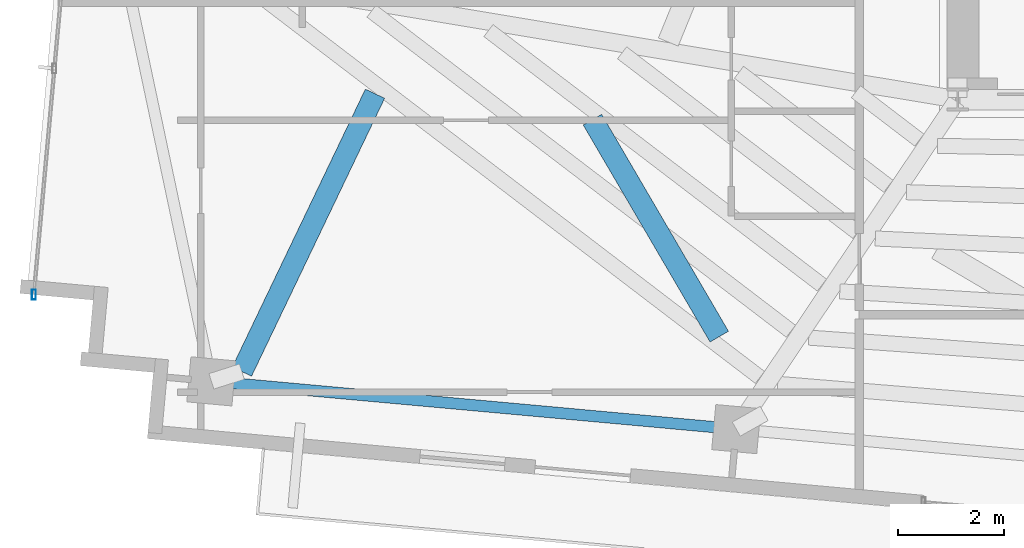
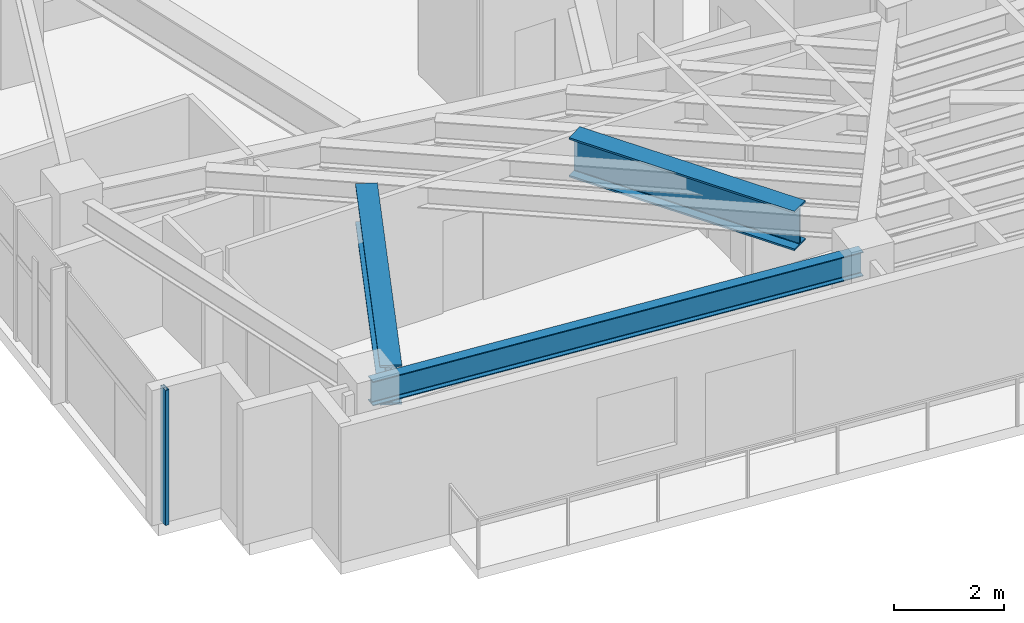
# One storey, part 2 of 22: 3 beams, 1 member, 1 element without a shape of its own.
"""IFC4 building model written with IfcOpenShell, lengths in metres."""

import ifcopenshell
import ifcopenshell.guid

model = None  # the IFC model being written
_history = None  # IfcOwnerHistory: only IFC2X3 demands one
_inside = {}  # id of a spatial element -> (the spatial element, [elements in it])
_under = {}  # id of a project, library or spatial element -> (it, [spatial elements below it])
_declared = {}  # id of a project -> (the project, [libraries it declares])
_typed = {}  # id of a type object -> (the type object, [elements of that type])
_made_of = {}  # id of a material, layer set ... -> (it, [elements and type objects made of it])


def new_model(schema):
    """Start an empty IFC model of exactly this schema.

    Asked for "IFC4X3", IfcOpenShell would pick the latest addendum, in which some entities
    have other attributes; the version numbers below select the first issue.
    IFC2X3 requires an IfcOwnerHistory on every rooted entity: one is made here for all.
    """
    global model, _history
    if schema == "IFC4X3":
        model = ifcopenshell.file(schema_version=(4, 3, 0, 0))
    else:
        model = ifcopenshell.file(schema=schema)
    _inside.clear()
    _under.clear()
    _declared.clear()
    _typed.clear()
    _made_of.clear()
    _history = None
    if model.schema == "IFC2X3":
        org = make("IfcOrganization", Name="unknown")
        user = make(
            "IfcPersonAndOrganization",
            ThePerson=make("IfcPerson", FamilyName="unknown"),
            TheOrganization=org,
        )
        app = make(
            "IfcApplication",
            ApplicationDeveloper=org,
            Version="unknown",
            ApplicationFullName="unknown",
            ApplicationIdentifier="unknown",
        )
        _history = make(
            "IfcOwnerHistory",
            OwningUser=user,
            OwningApplication=app,
            ChangeAction="ADDED",
            CreationDate=0,
        )
    return model


def make(cls, **values):
    """One entity of the class cls with the attributes given. An attribute that is None is left unset."""
    return model.create_entity(
        cls, **{name: value for name, value in values.items() if value is not None}
    )


def rooted(cls, **values):
    """An entity with a GlobalId (a new one), such as an element, a storey or a relation."""
    return make(cls, GlobalId=ifcopenshell.guid.new(), OwnerHistory=_history, **values)


def si_unit(unit_type, name, prefix=None):
    """IfcSIUnit, for example si_unit("LENGTHUNIT", "METRE", prefix="MILLI")."""
    return make("IfcSIUnit", UnitType=unit_type, Prefix=prefix, Name=name)


def assignment(units):
    """IfcUnitAssignment: the units of a project."""
    return None if units is None else make("IfcUnitAssignment", Units=units)


def point(xyz):
    """IfcCartesianPoint."""
    return None if xyz is None else make("IfcCartesianPoint", Coordinates=xyz)


def direction(xyz):
    """IfcDirection."""
    return None if xyz is None else make("IfcDirection", DirectionRatios=xyz)


def frame(location, z_axis=None, x_axis=None):
    """IfcAxis2Placement3D, a coordinate frame: its origin and axes. An axis left out is left unset."""
    return make(
        "IfcAxis2Placement3D",
        Location=point(location),
        Axis=direction(z_axis),
        RefDirection=direction(x_axis),
    )


def frame_2d(location, x_axis=None):
    """IfcAxis2Placement2D, a coordinate frame in the plane: its origin and x axis."""
    return make(
        "IfcAxis2Placement2D", Location=point(location), RefDirection=direction(x_axis)
    )


def origin():
    """The frame at (0, 0, 0) with its axes left unset."""
    return frame((0.0, 0.0, 0.0))


def origin_2d():
    """The frame at (0, 0) in the plane with its x axis left unset."""
    return frame_2d((0.0, 0.0))


def place(relative_to, where):
    """IfcLocalPlacement: puts the frame where relative to a parent placement (None: the world)."""
    return make(
        "IfcLocalPlacement", PlacementRelTo=relative_to, RelativePlacement=where
    )


def context(
    kind, dimensions, precision=None, world=None, true_north=None, identifier=None
):
    """IfcGeometricRepresentationContext, for example the 3D "Model" context."""
    return make(
        "IfcGeometricRepresentationContext",
        ContextIdentifier=identifier,
        ContextType=kind,
        CoordinateSpaceDimension=dimensions,
        Precision=precision,
        WorldCoordinateSystem=world,
        TrueNorth=true_north,
    )


def subcontext(parent, identifier, kind, view, scale=None):
    """IfcGeometricRepresentationSubContext, for example "Body" below "Model"."""
    return make(
        "IfcGeometricRepresentationSubContext",
        ContextIdentifier=identifier,
        ContextType=kind,
        ParentContext=parent,
        TargetScale=scale,
        TargetView=view,
    )


def project(units=None, contexts=None):
    """IfcProject with its units and contexts."""
    return rooted(
        "IfcProject",
        Name="project",
        RepresentationContexts=contexts,
        UnitsInContext=assignment(units),
    )


def spatial(cls, under=None, at=None, **own):
    """A site, building, storey or space (cls), placed at a placement, below another one or the project."""
    s = rooted(cls, ObjectPlacement=at, **own)
    if under is not None:
        _under.setdefault(under.id(), (under, []))[1].append(s)
    return s


def profile(cls, at=None, kind="AREA", **sizes):
    """A parametric profile (cls). Its sizes go by their IFC names, for example OverallWidth=200.0."""
    return make(cls, ProfileType=kind, Position=at, **sizes)


def hollow_rectangle(**sizes):
    """IfcRectangleHollowProfileDef."""
    return profile("IfcRectangleHollowProfileDef", **sizes)


def i_section(**sizes):
    """IfcIShapeProfileDef."""
    return profile("IfcIShapeProfileDef", **sizes)


def extrude(swept, where, along, depth):
    """IfcExtrudedAreaSolid: the profile swept, set in the frame where, extruded along a direction by depth."""
    return make(
        "IfcExtrudedAreaSolid",
        SweptArea=swept,
        Position=where,
        ExtrudedDirection=direction(along),
        Depth=depth,
    )


def shape(context_of_items, identifier, shape_type, items):
    """IfcShapeRepresentation: the items that make up one representation, for example the "Body"."""
    return make(
        "IfcShapeRepresentation",
        ContextOfItems=context_of_items,
        RepresentationIdentifier=identifier,
        RepresentationType=shape_type,
        Items=items,
    )


def source(mapping_origin, context_of_items, identifier, shape_type, items):
    """IfcRepresentationMap: a shape defined once, which mapped items show again and again."""
    return make(
        "IfcRepresentationMap",
        MappingOrigin=mapping_origin,
        MappedRepresentation=shape(context_of_items, identifier, shape_type, items),
    )


def transform(
    local_origin,
    x_axis=None,
    y_axis=None,
    z_axis=None,
    scale=None,
    scale2=None,
    scale3=None,
    uniform=True,
):
    """IfcCartesianTransformationOperator3D, or its non-uniform kind. x_axis, y_axis, z_axis: its Axis1, 2, 3."""
    if uniform:
        return make(
            "IfcCartesianTransformationOperator3D",
            Axis1=direction(x_axis),
            Axis2=direction(y_axis),
            LocalOrigin=point(local_origin),
            Scale=scale,
            Axis3=direction(z_axis),
        )
    return make(
        "IfcCartesianTransformationOperator3DnonUniform",
        Axis1=direction(x_axis),
        Axis2=direction(y_axis),
        LocalOrigin=point(local_origin),
        Scale=scale,
        Axis3=direction(z_axis),
        Scale2=scale2,
        Scale3=scale3,
    )


def mapped(mapping_source, mapping_target):
    """IfcMappedItem: shows the shape of a source again, moved by a transform."""
    return make(
        "IfcMappedItem", MappingSource=mapping_source, MappingTarget=mapping_target
    )


def material(Name=None, Category=None):
    """IfcMaterial."""
    return make("IfcMaterial", Name=Name, Category=Category)


def material_profile(
    of_material, cross_section, Name=None, Category=None, Priority=None
):
    """IfcMaterialProfile: a cross section and its material."""
    return make(
        "IfcMaterialProfile",
        Name=Name,
        Material=of_material,
        Profile=cross_section,
        Priority=Priority,
        Category=Category,
    )


def profile_set(profiles, Name=None, composite=None):
    """IfcMaterialProfileSet."""
    return make(
        "IfcMaterialProfileSet",
        Name=Name,
        MaterialProfiles=profiles,
        CompositeProfile=composite,
    )


def made_of(thing, what):
    """Note that an element or type object is made of a material, layer set ...; save() writes the relation."""
    if what is not None:
        _made_of.setdefault(what.id(), (what, []))[1].append(thing)
    return thing


def type_object(cls, material=None, **own):
    """A type object (cls), such as IfcWallType, which elements share."""
    return made_of(rooted(cls, **own), material)


def type_shapes(of_type, sources):
    """Give a type object the sources (RepresentationMaps) that its elements show as mapped items."""
    of_type.RepresentationMaps = sources


def element(
    cls,
    number,
    at=None,
    inside=None,
    cuts=None,
    type_object=None,
    material=None,
    context=None,
    identifier="Body",
    shape_type=None,
    held_by="IfcProductDefinitionShape",
    body=None,
    shapes=None,
    **own,
):
    """One element of the class cls, such as IfcWall. Its Tag is "e" and its number.

    at: its placement. inside: the storey or other place that contains it. cuts: it is an
    opening in that element (IfcRelVoidsElement). A single representation is given by context,
    identifier, shape_type and body (its items); several are given by shapes. held_by: the class
    of the entity that holds the representations. save() writes the other relations.
    """
    e = rooted(cls, Tag="e%d" % number, ObjectPlacement=at, **own)
    if body is not None:
        shapes = [shape(context, identifier, shape_type, body)]
    if shapes is not None:
        e.Representation = make(held_by, Representations=shapes)
    if inside is not None:
        _inside.setdefault(inside.id(), (inside, []))[1].append(e)
    if cuts is not None:
        rooted(
            "IfcRelVoidsElement", RelatingBuildingElement=cuts, RelatedOpeningElement=e
        )
    if type_object is not None:
        _typed.setdefault(type_object.id(), (type_object, []))[1].append(e)
    return made_of(e, material)


def aggregate(whole, parts):
    """IfcRelAggregates: a whole, such as a stair, and the parts it consists of."""
    return rooted("IfcRelAggregates", RelatingObject=whole, RelatedObjects=parts)


def save(model, path):
    """Write the relations noted so far, then the file.

    IfcRelAggregates (storeys below a building ...), IfcRelContainedInSpatialStructure (elements
    in a storey), IfcRelDefinesByType, IfcRelAssociatesMaterial and IfcRelDeclares: one each for
    every whole, place, type object, material and project.
    """
    for whole, parts in _under.values():
        aggregate(whole, parts)
    for where, things in _inside.values():
        rooted(
            "IfcRelContainedInSpatialStructure",
            RelatedElements=things,
            RelatingStructure=where,
        )
    for kind, things in _typed.values():
        rooted("IfcRelDefinesByType", RelatedObjects=things, RelatingType=kind)
    for what, things in _made_of.values():
        rooted("IfcRelAssociatesMaterial", RelatedObjects=things, RelatingMaterial=what)
    for by, libraries in _declared.values():
        rooted("IfcRelDeclares", RelatingContext=by, RelatedDefinitions=libraries)
    model.write(path)


model = new_model("IFC4")

# Units and contexts
model_context = context("Model", 3, precision=1e-05, world=origin(), true_north=direction((0.0, 1.0)))
body_context = subcontext(model_context, "Body", "Model", "MODEL_VIEW")
ifc_project = project(units=[si_unit("LENGTHUNIT", "METRE"), si_unit("AREAUNIT", "SQUARE_METRE"), si_unit("VOLUMEUNIT", "CUBIC_METRE"), si_unit("PLANEANGLEUNIT", "RADIAN"), si_unit("MASSUNIT", "GRAM", prefix="KILO")], contexts=[model_context])

# Site, building, storey
site_placement = place(None, origin())
site = spatial("IfcSite", under=ifc_project, at=site_placement, CompositionType="ELEMENT")
building_placement = place(site_placement, origin())
building = spatial("IfcBuilding", under=site, at=building_placement, Name="Astriad Promenade Condominiums", CompositionType="ELEMENT")
storey_placement = place(building_placement, frame((0.0, 0.0, 256.199951171875)))
storey = spatial("IfcBuildingStorey", under=building, at=storey_placement, Name="L74", CompositionType="ELEMENT", Elevation=256.199951171875)

# Beams
ifc_material_1 = material(Name="Steel ASTM A992 Grade 50", Category="steel")
ifc_material_profile_1 = material_profile(ifc_material_1, i_section(OverallWidth=0.210693359375, OverallDepth=0.53955078125, WebThickness=0.01171875, FlangeThickness=0.018798828125, FilletRadius=0.0166015625, at=origin_2d()), Name="W21X73")
ifc_profile_set_1 = profile_set([ifc_material_profile_1], Name="Steel ASTM A992 Grade 50")
beam_type_1 = type_object("IfcBeamType", Name="STEEL SPANDREL BEAM W21X73", PredefinedType="SPANDREL", material=ifc_profile_set_1)
shared_shape_1 = source(origin(), body_context, "Body", "SweptSolid", [
    extrude(i_section(OverallWidth=0.210693359375, OverallDepth=0.53955078125, WebThickness=0.01171875, FlangeThickness=0.018798828125, FilletRadius=0.0166015625, at=origin_2d()), origin(), (0.0, 0.0, 1.0), 9.8203125),
])
type_shapes(beam_type_1, [shared_shape_1])
beam_1_placement = place(storey_placement, frame((12.421630859375, 12.102783203125, 2.73046875), z_axis=(0.995883419264, -0.090643340822, 0.0), x_axis=(0.090643340822, 0.995883419264, 0.0)))
element("IfcBeam", 1, at=beam_1_placement, inside=storey, type_object=beam_type_1, Name="Perimeter Spandrel Beam SP-S1-L74", PredefinedType="SPANDREL", context=body_context, shape_type="MappedRepresentation", body=[
    mapped(shared_shape_1, transform((0.0, 0.0, 0.0), scale=1.0)),
])
ifc_material_profile_2 = material_profile(ifc_material_1, i_section(OverallWidth=0.4013671875, OverallDepth=0.877197265625, WebThickness=0.022216796875, FlangeThickness=0.039794921875, FilletRadius=0.02294921875, at=origin_2d()), Name="W33X263")
ifc_profile_set_2 = profile_set([ifc_material_profile_2], Name="Steel ASTM A992 Grade 50")
beam_type_2 = type_object("IfcBeamType", Name="STEEL TRANSFER CARRIER GIRDER W33X263", PredefinedType="BEAM", material=ifc_profile_set_2)
shared_shape_2 = source(origin(), body_context, "Body", "SweptSolid", [
    extrude(i_section(OverallWidth=0.4013671875, OverallDepth=0.877197265625, WebThickness=0.022216796875, FlangeThickness=0.039794921875, FilletRadius=0.02294921875, at=origin_2d()), origin(), (0.0, 0.0, 1.0), 5.78857421875),
])
beam_2_placement = place(storey_placement, frame((15.455078125, 17.509765625, 2.5615234375), z_axis=(-0.431880776649, -0.901930703969, 0.0), x_axis=(0.901930703969, -0.431880776649, 0.0)))
element("IfcBeam", 2, at=beam_2_placement, inside=storey, type_object=beam_type_2, Name="Transfer Splice Carrier TRM-SP-PC01-L74", PredefinedType="BEAM", context=body_context, shape_type="MappedRepresentation", body=[
    mapped(shared_shape_2, transform((0.0, 0.0, 0.0), scale=1.0)),
])
shared_shape_3 = source(origin(), body_context, "Body", "SweptSolid", [
    extrude(i_section(OverallWidth=0.4013671875, OverallDepth=0.877197265625, WebThickness=0.022216796875, FlangeThickness=0.039794921875, FilletRadius=0.02294921875, at=origin_2d()), origin(), (0.0, 0.0, 1.0), 4.720703125),
])
type_shapes(beam_type_2, [shared_shape_2, shared_shape_3])
beam_3_placement = place(storey_placement, frame((19.53955078125, 17.02197265625, 2.5615234375), z_axis=(0.504658635796, -0.863318980051, 0.0), x_axis=(0.863318980051, 0.504658635796, 0.0)))
element("IfcBeam", 3, at=beam_3_placement, inside=storey, type_object=beam_type_2, Name="Transfer Splice Carrier TRM-SP-PC02-L74", PredefinedType="BEAM", context=body_context, shape_type="MappedRepresentation", body=[
    mapped(shared_shape_3, transform((0.0, 0.0, 0.0), scale=1.0)),
])

# Curtain wall, member
ifc_material_2 = material(Name="Anodised aluminium Black Dark Glass Unitised", Category="aluminium")
curtain_wall_type = type_object("IfcCurtainWallType", Name="CW-B5-DARK", PredefinedType="USERDEFINED", material=ifc_material_2)
curtain_wall_placement = place(storey_placement, origin())
curtain_wall = element("IfcCurtainWall", 4, at=curtain_wall_placement, inside=storey, type_object=curtain_wall_type, Name="CW-L74-W", ObjectType="UNITISED_CURTAIN_WALL", PredefinedType="USERDEFINED")
ifc_material_3 = material(Name="Anodised aluminium 6063-T6 Black", Category="aluminium")
ifc_material_profile_3 = material_profile(ifc_material_3, hollow_rectangle(XDim=0.074951171875, YDim=0.18505859375, WallThickness=0.00439453125, at=origin_2d()), Name="ALU-MUL-75X185")
ifc_profile_set_3 = profile_set([ifc_material_profile_3], Name="Anodised aluminium 6063-T6 Black")
member_type = type_object("IfcMemberType", Name="MUL-ALU-MUL-75X185", PredefinedType="MULLION", material=ifc_profile_set_3)
shared_shape_4 = source(origin(), body_context, "Body", "SweptSolid", [
    extrude(hollow_rectangle(XDim=0.074951171875, YDim=0.18505859375, WallThickness=0.00439453125, at=origin_2d()), origin(), (0.0, 0.0, 1.0), 3.0),
])
type_shapes(member_type, [shared_shape_4])
member_placement = place(storey_placement, frame((9.0458984375, 13.7353515625, 0.0), z_axis=(0.0, 0.0, 1.0), x_axis=(1.0, 0.0, 0.0)))
member = element("IfcMember", 5, at=member_placement, type_object=member_type, Name="CW-L74-W-MUL-00", PredefinedType="MULLION", context=body_context, shape_type="MappedRepresentation", body=[
    mapped(shared_shape_4, transform((0.0, 0.0, 0.0), scale=1.0)),
])
aggregate(curtain_wall, [member])

save(model, "model.ifc")
